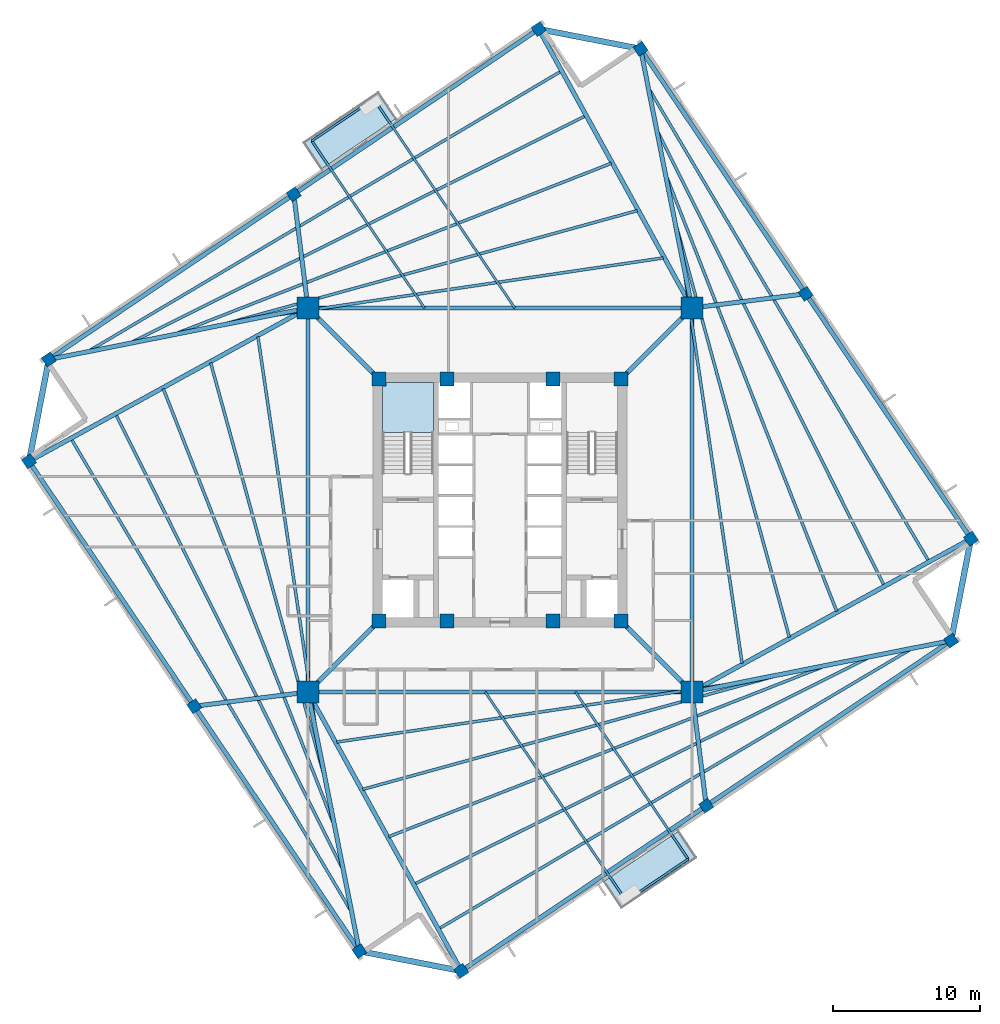
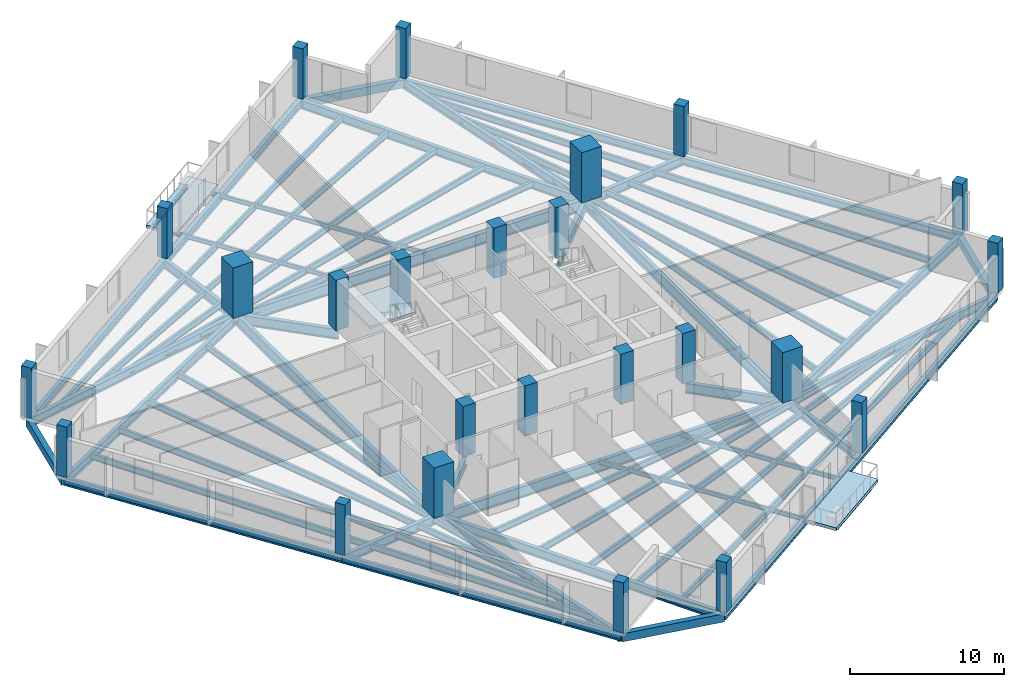
# One storey, part 1 of 9: 58 beams, 24 columns, 3 slabs, 1 element without a shape of its own.
"""IFC4 building model written with IfcOpenShell, lengths in metres."""

from ifc_helpers import new_model, si_unit, direction, frame, origin, origin_2d, place, context, subcontext, project, spatial, polyline, rectangle, i_section, outline, extrude, source, transform, mapped, material, layer, layer_set, material_profile, profile_set, type_object, element, aggregate, save


model = new_model("IFC4")

# Units and contexts
model_context = context("Model", 3, precision=1e-05, world=origin(), true_north=direction((0.0, 1.0)))
body_context = subcontext(model_context, "Body", "Model", "MODEL_VIEW")
ifc_project = project(units=[si_unit("LENGTHUNIT", "METRE"), si_unit("AREAUNIT", "SQUARE_METRE"), si_unit("VOLUMEUNIT", "CUBIC_METRE"), si_unit("PLANEANGLEUNIT", "RADIAN"), si_unit("MASSUNIT", "GRAM", prefix="KILO"), si_unit("THERMODYNAMICTEMPERATUREUNIT", "KELVIN")], contexts=[model_context])

# Site, building, storey
site_placement = place(None, origin())
site = spatial("IfcSite", under=ifc_project, at=site_placement, CompositionType="ELEMENT")
building_placement = place(site_placement, origin())
building = spatial("IfcBuilding", under=site, at=building_placement, Name="Kosmvard Interchange Tower", CompositionType="ELEMENT")
storey_placement = place(building_placement, frame((0.0, 0.0, 164.39990234375)))
storey = spatial("IfcBuildingStorey", under=building, at=storey_placement, Name="L39", CompositionType="ELEMENT", Elevation=164.39990234375)

# Columns
ifc_material_1 = material(Name="Concrete C60/75", Category="concrete")
ifc_material_profile_1 = material_profile(ifc_material_1, rectangle(XDim=0.949951171875, YDim=0.949951171875, at=origin_2d()), Name="CP 950x950")
ifc_profile_set_1 = profile_set([ifc_material_profile_1], Name="Concrete C60/75")
column_type_1 = type_object("IfcColumnType", Name="Core Boundary Pilaster 950x950 C60/75", PredefinedType="PILASTER", material=ifc_profile_set_1)
shared_shape_1 = source(origin(), body_context, "Body", "SweptSolid", [
    extrude(rectangle(XDim=0.949951171875, YDim=0.949951171875, at=origin_2d()), origin(), (0.0, 0.0, 1.0), 4.0),
])
for number, where, z_axis, x_axis, name in (
    (1, (-8.25, -8.25, 0.0), (0.0, 0.0, 1.0), (1.0, 0.0, 0.0), "L39 Core Pilaster CP1"),
    (2, (8.25, -8.25, 0.0), (0.0, 0.0, 1.0), (1.0, 0.0, 0.0), "L39 Core Pilaster CP2"),
    (3, (8.25, 8.25, 0.0), (0.0, 0.0, 1.0), (1.0, 0.0, 0.0), "L39 Core Pilaster CP3"),
    (4, (-8.25, 8.25, 0.0), (0.0, 0.0, 1.0), (1.0, 0.0, 0.0), "L39 Core Pilaster CP4"),
    (5, (-3.60009765625, -8.25, 0.0), (0.0, 0.0, 1.0), (1.0, 0.0, 0.0), "L39 Core Pilaster CP5"),
    (6, (3.60009765625, -8.25, 0.0), (0.0, 0.0, 1.0), (1.0, 0.0, 0.0), "L39 Core Pilaster CP6"),
    (7, (-3.60009765625, 8.25, 0.0), (0.0, 0.0, 1.0), (1.0, 0.0, 0.0), "L39 Core Pilaster CP7"),
    (8, (3.60009765625, 8.25, 0.0), (0.0, 0.0, 1.0), (1.0, 0.0, 0.0), "L39 Core Pilaster CP8"),
):
    element("IfcColumn", number, at=place(storey_placement, frame(where, z_axis=z_axis, x_axis=x_axis)), inside=storey, type_object=column_type_1, Name=name, PredefinedType="PILASTER", context=body_context, shape_type="MappedRepresentation", body=[
        mapped(shared_shape_1, transform((0.0, 0.0, 0.0), scale=1.0)),
    ])
ifc_material_profile_2 = material_profile(ifc_material_1, rectangle(XDim=1.5, YDim=1.5, at=origin_2d()), Name="MC 1500x1500")
ifc_profile_set_2 = profile_set([ifc_material_profile_2], Name="Concrete C60/75")
column_type_2 = type_object("IfcColumnType", Name="Composite Mega-Column 1500x1500 C60/75", PredefinedType="COLUMN", material=ifc_profile_set_2)
shared_shape_2 = source(origin(), body_context, "Body", "SweptSolid", [
    extrude(rectangle(XDim=1.5, YDim=1.5, at=origin_2d()), origin(), (0.0, 0.0, 1.0), 4.0),
])
for number, where, z_axis, x_axis, name in (
    (9, (-13.0810546875, -13.0810546875, 0.0), (0.0, 0.0, 1.0), (1.0, 0.0, 0.0), "L39 Corner Mega-Column MC1"),
    (10, (13.0810546875, -13.0810546875, 0.0), (0.0, 0.0, 1.0), (1.0, 0.0, 0.0), "L39 Corner Mega-Column MC2"),
    (11, (13.0810546875, 13.0810546875, 0.0), (0.0, 0.0, 1.0), (1.0, 0.0, 0.0), "L39 Corner Mega-Column MC3"),
    (12, (-13.0810546875, 13.0810546875, 0.0), (0.0, 0.0, 1.0), (1.0, 0.0, 0.0), "L39 Corner Mega-Column MC4"),
):
    element("IfcColumn", number, at=place(storey_placement, frame(where, z_axis=z_axis, x_axis=x_axis)), inside=storey, type_object=column_type_2, Name=name, PredefinedType="COLUMN", context=body_context, shape_type="MappedRepresentation", body=[
        mapped(shared_shape_2, transform((0.0, 0.0, 0.0), scale=1.0)),
    ])
ifc_material_2 = material(Name="Concrete C50/60", Category="concrete")
ifc_material_profile_3 = material_profile(ifc_material_2, rectangle(XDim=0.75, YDim=0.75, at=origin_2d()), Name="TC 750x750")
ifc_profile_set_3 = profile_set([ifc_material_profile_3], Name="Concrete C50/60")
column_type_3 = type_object("IfcColumnType", Name="Zone 3 Perimeter Pier Column 750x750 C50/60", PredefinedType="COLUMN", material=ifc_profile_set_3)
shared_shape_3 = source(origin(), body_context, "Body", "SweptSolid", [
    extrude(rectangle(XDim=0.75, YDim=0.75, at=origin_2d()), origin(), (0.0, 0.0, 1.0), 4.0),
])
for number, where, z_axis, x_axis, name in (
    (13, (-2.634765625, -32.083251953125, 0.0), (0.0, 0.0, 1.0), (0.829037572555, 0.559192903471, 0.0), "L39 Perimeter Pier Column TC-S1"),
    (14, (14.0498046875, -20.82958984375, 0.0), (0.0, 0.0, 1.0), (0.829037572555, 0.559192903471, 0.0), "L39 Perimeter Pier Column TC-S2"),
    (15, (30.734130859375, -9.575927734375, 0.0), (0.0, 0.0, 1.0), (0.829037572555, 0.559192903471, 0.0), "L39 Perimeter Pier Column TC-S3"),
    (16, (32.083251953125, -2.634765625, 0.0), (0.0, 0.0, 1.0), (0.829037572555, 0.559192903471, 0.0), "L39 Perimeter Pier Column TC-E1"),
    (17, (20.82958984375, 14.0498046875, 0.0), (0.0, 0.0, 1.0), (0.829037572555, 0.559192903471, 0.0), "L39 Perimeter Pier Column TC-E2"),
    (18, (9.575927734375, 30.734130859375, 0.0), (0.0, 0.0, 1.0), (0.829037572555, 0.559192903471, 0.0), "L39 Perimeter Pier Column TC-E3"),
    (19, (2.634765625, 32.083251953125, 0.0), (0.0, 0.0, 1.0), (0.829037572555, 0.559192903471, 0.0), "L39 Perimeter Pier Column TC-N1"),
    (20, (-14.0498046875, 20.82958984375, 0.0), (0.0, 0.0, 1.0), (0.829037572555, 0.559192903471, 0.0), "L39 Perimeter Pier Column TC-N2"),
    (21, (-30.734130859375, 9.575927734375, 0.0), (0.0, 0.0, 1.0), (0.829037572555, 0.559192903471, 0.0), "L39 Perimeter Pier Column TC-N3"),
    (22, (-32.083251953125, 2.634765625, 0.0), (0.0, 0.0, 1.0), (0.829037572555, 0.559192903471, 0.0), "L39 Perimeter Pier Column TC-W1"),
    (23, (-20.82958984375, -14.0498046875, 0.0), (0.0, 0.0, 1.0), (0.829037572555, 0.559192903471, 0.0), "L39 Perimeter Pier Column TC-W2"),
    (24, (-9.575927734375, -30.734130859375, 0.0), (0.0, 0.0, 1.0), (0.829037572555, 0.559192903471, 0.0), "L39 Perimeter Pier Column TC-W3"),
):
    element("IfcColumn", number, at=place(storey_placement, frame(where, z_axis=z_axis, x_axis=x_axis)), inside=storey, type_object=column_type_3, Name=name, PredefinedType="COLUMN", context=body_context, shape_type="MappedRepresentation", body=[
        mapped(shared_shape_3, transform((0.0, 0.0, 0.0), scale=1.0)),
    ])

# Beams
ifc_material_3 = material(Name="Steel S355", Category="steel")
ifc_material_profile_4 = material_profile(ifc_material_3, i_section(OverallWidth=0.14990234375, OverallDepth=0.300048828125, WebThickness=0.007080078125, FlangeThickness=0.0107421875, FilletRadius=0.014892578125, at=origin_2d()), Name="IPE 300")
ifc_profile_set_4 = profile_set([ifc_material_profile_4], Name="Steel S355")
beam_type_1 = type_object("IfcBeamType", Name="Balcony Edge Header Joist IPE 300 S355", PredefinedType="JOIST", material=ifc_profile_set_4)
shared_shape_4 = source(origin(), body_context, "Body", "SweptSolid", [
    extrude(i_section(OverallWidth=0.14990234375, OverallDepth=0.300048828125, WebThickness=0.007080078125, FlangeThickness=0.0107421875, FilletRadius=0.014892578125, at=origin_2d()), origin(), (0.0, 0.0, 1.0), 5.099853515625),
])
for number, where, z_axis, x_axis, name in (
    (25, (-8.59326171875, 27.314453125, -0.409912109375), (-0.82904064614, -0.559188346666, 0.0), (0.559188346666, -0.82904064614, 0.0), "BM-L39-BJH1"),
    (26, (8.59326171875, -27.314453125, -0.409912109375), (0.82904064614, 0.559188346666, 0.0), (-0.559188346666, 0.82904064614, 0.0), "BM-L39-BJH2"),
):
    element("IfcBeam", number, at=place(storey_placement, frame(where, z_axis=z_axis, x_axis=x_axis)), inside=storey, type_object=beam_type_1, Name=name, PredefinedType="JOIST", context=body_context, shape_type="MappedRepresentation", body=[
        mapped(shared_shape_4, transform((0.0, 0.0, 0.0), scale=1.0)),
    ])
ifc_material_profile_5 = material_profile(ifc_material_3, i_section(OverallWidth=0.300048828125, OverallDepth=0.800048828125, WebThickness=0.017578125, FlangeThickness=0.032958984375, FilletRadius=0.027099609375, at=origin_2d()), Name="HEB 800")
ifc_profile_set_5 = profile_set([ifc_material_profile_5], Name="Steel S355")
beam_type_2 = type_object("IfcBeamType", Name="Primary Mega-Frame Girder HEB 800 S355", PredefinedType="BEAM", material=ifc_profile_set_5)
shared_shape_5 = source(origin(), body_context, "Body", "SweptSolid", [
    extrude(i_section(OverallWidth=0.300048828125, OverallDepth=0.800048828125, WebThickness=0.017578125, FlangeThickness=0.032958984375, FilletRadius=0.027099609375, at=origin_2d()), origin(), (0.0, 0.0, 1.0), 6.83203125),
])
for number, where, z_axis, x_axis, name in (
    (27, (-8.25, -8.25, -0.659912109375), (-0.707106781187, -0.707106781187, 0.0), (0.707106781187, -0.707106781187, 0.0), "L39 Radial Mega-Frame Girder 1"),
    (28, (8.25, -8.25, -0.659912109375), (0.707106781187, -0.707106781187, 0.0), (0.707106781187, 0.707106781187, 0.0), "L39 Radial Mega-Frame Girder 2"),
    (29, (8.25, 8.25, -0.659912109375), (0.707106781187, 0.707106781187, 0.0), (-0.707106781187, 0.707106781187, 0.0), "L39 Radial Mega-Frame Girder 3"),
    (30, (-8.25, 8.25, -0.659912109375), (-0.707106781187, 0.707106781187, 0.0), (-0.707106781187, -0.707106781187, 0.0), "L39 Radial Mega-Frame Girder 4"),
):
    element("IfcBeam", number, at=place(storey_placement, frame(where, z_axis=z_axis, x_axis=x_axis)), inside=storey, type_object=beam_type_2, Name=name, PredefinedType="BEAM", context=body_context, shape_type="MappedRepresentation", body=[
        mapped(shared_shape_5, transform((0.0, 0.0, 0.0), scale=1.0)),
    ])
ifc_material_profile_6 = material_profile(ifc_material_3, i_section(OverallWidth=0.300048828125, OverallDepth=0.89990234375, WebThickness=0.0185546875, FlangeThickness=0.034912109375, FilletRadius=0.030029296875, at=origin_2d()), Name="HEB 900")
ifc_profile_set_6 = profile_set([ifc_material_profile_6], Name="Steel S355")
beam_type_3 = type_object("IfcBeamType", Name="Mega-Column Ring Girder HEB 900 S355", PredefinedType="BEAM", material=ifc_profile_set_6)
shared_shape_6 = source(origin(), body_context, "Body", "SweptSolid", [
    extrude(i_section(OverallWidth=0.300048828125, OverallDepth=0.89990234375, WebThickness=0.0185546875, FlangeThickness=0.034912109375, FilletRadius=0.030029296875, at=origin_2d()), origin(), (0.0, 0.0, 1.0), 26.162109375),
])
for number, where, z_axis, x_axis, name in (
    (31, (-13.0810546875, -13.0810546875, -0.7099609375), (1.0, 0.0, 0.0), (0.0, 1.0, 0.0), "L39 Mega-Column Ring Girder 1"),
    (32, (13.0810546875, -13.0810546875, -0.7099609375), (0.0, 1.0, 0.0), (-1.0, 0.0, 0.0), "L39 Mega-Column Ring Girder 2"),
    (33, (13.0810546875, 13.0810546875, -0.7099609375), (-1.0, 0.0, 0.0), (0.0, -1.0, 0.0), "L39 Mega-Column Ring Girder 3"),
    (34, (-13.0810546875, 13.0810546875, -0.7099609375), (0.0, -1.0, 0.0), (1.0, 0.0, 0.0), "L39 Mega-Column Ring Girder 4"),
):
    element("IfcBeam", number, at=place(storey_placement, frame(where, z_axis=z_axis, x_axis=x_axis)), inside=storey, type_object=beam_type_3, Name=name, PredefinedType="BEAM", context=body_context, shape_type="MappedRepresentation", body=[
        mapped(shared_shape_6, transform((0.0, 0.0, 0.0), scale=1.0)),
    ])
ifc_material_profile_7 = material_profile(ifc_material_3, i_section(OverallWidth=0.300048828125, OverallDepth=0.60009765625, WebThickness=0.015380859375, FlangeThickness=0.030029296875, FilletRadius=0.027099609375, at=origin_2d()), Name="HEB 600")
ifc_profile_set_7 = profile_set([ifc_material_profile_7], Name="Steel S355")
beam_type_4 = type_object("IfcBeamType", Name="Perimeter Tie Girder HEB 600 S355", PredefinedType="BEAM", material=ifc_profile_set_7)
shared_shape_7 = source(origin(), body_context, "Body", "SweptSolid", [
    extrude(i_section(OverallWidth=0.300048828125, OverallDepth=0.60009765625, WebThickness=0.015380859375, FlangeThickness=0.030029296875, FilletRadius=0.027099609375, at=origin_2d()), origin(), (0.0, 0.0, 1.0), 20.125),
])
for number, where, z_axis, x_axis, name in (
    (35, (-2.634765625, -32.083251953125, -0.559814453125), (0.82904270175, 0.559185299051, 0.0), (-0.559185299051, 0.82904270175, 0.0), "BM-L39-PR01"),
    (36, (14.0498046875, -20.82958984375, -0.559814453125), (0.829038908426, 0.559190922956, 0.0), (-0.559190922956, 0.829038908426, 0.0), "BM-L39-PR02"),
    (37, (32.083251953125, -2.634765625, -0.559814453125), (-0.559185299051, 0.82904270175, 0.0), (-0.82904270175, -0.559185299051, 0.0), "BM-L39-PR04"),
    (38, (20.82958984375, 14.0498046875, -0.559814453125), (-0.559190922956, 0.829038908426, 0.0), (-0.829038908426, -0.559190922956, 0.0), "BM-L39-PR05"),
    (39, (2.634765625, 32.083251953125, -0.559814453125), (-0.82904270175, -0.559185299051, 0.0), (0.559185299051, -0.82904270175, 0.0), "BM-L39-PR07"),
    (40, (-14.0498046875, 20.82958984375, -0.559814453125), (-0.829038908426, -0.559190922956, 0.0), (0.559190922956, -0.829038908426, 0.0), "BM-L39-PR08"),
    (41, (-32.083251953125, 2.634765625, -0.559814453125), (0.559185299051, -0.82904270175, 0.0), (0.82904270175, 0.559185299051, 0.0), "BM-L39-PR10"),
    (42, (-20.82958984375, -14.0498046875, -0.559814453125), (0.559190922956, -0.829038908426, 0.0), (0.829038908426, 0.559190922956, 0.0), "BM-L39-PR11"),
):
    element("IfcBeam", number, at=place(storey_placement, frame(where, z_axis=z_axis, x_axis=x_axis)), inside=storey, type_object=beam_type_4, Name=name, PredefinedType="BEAM", context=body_context, shape_type="MappedRepresentation", body=[
        mapped(shared_shape_7, transform((0.0, 0.0, 0.0), scale=1.0)),
    ])
ifc_material_profile_8 = material_profile(ifc_material_3, i_section(OverallWidth=0.300048828125, OverallDepth=0.699951171875, WebThickness=0.01708984375, FlangeThickness=0.031982421875, FilletRadius=0.027099609375, at=origin_2d()), Name="HEB 700")
ifc_profile_set_8 = profile_set([ifc_material_profile_8], Name="Steel S355")
beam_type_5 = type_object("IfcBeamType", Name="Primary Floor Girder HEB 700 S355", PredefinedType="BEAM", material=ifc_profile_set_8)
shared_shape_8 = source(origin(), body_context, "Body", "SweptSolid", [
    extrude(i_section(OverallWidth=0.300048828125, OverallDepth=0.699951171875, WebThickness=0.01708984375, FlangeThickness=0.031982421875, FilletRadius=0.027099609375, at=origin_2d()), origin(), (0.0, 0.0, 1.0), 21.684326171875),
])
for number, where, z_axis, x_axis, name in (
    (43, (-13.0810546875, -13.0810546875, -0.60986328125), (0.48174456271, -0.876311689012, 0.0), (0.876311689012, 0.48174456271, 0.0), "BM-L39-RD01"),
    (44, (13.0810546875, -13.0810546875, -0.60986328125), (0.876311689012, 0.48174456271, 0.0), (-0.48174456271, 0.876311689012, 0.0), "BM-L39-RD04"),
    (45, (13.0810546875, 13.0810546875, -0.60986328125), (-0.48174456271, 0.876311689012, 0.0), (-0.876311689012, -0.48174456271, 0.0), "BM-L39-RD07"),
    (46, (-13.0810546875, 13.0810546875, -0.60986328125), (-0.876311689012, -0.48174456271, 0.0), (0.48174456271, -0.876311689012, 0.0), "BM-L39-RD10"),
):
    element("IfcBeam", number, at=place(storey_placement, frame(where, z_axis=z_axis, x_axis=x_axis)), inside=storey, type_object=beam_type_5, Name=name, PredefinedType="BEAM", context=body_context, shape_type="MappedRepresentation", body=[
        mapped(shared_shape_8, transform((0.0, 0.0, 0.0), scale=1.0)),
    ])
shared_shape_9 = source(origin(), body_context, "Body", "SweptSolid", [
    extrude(i_section(OverallWidth=0.300048828125, OverallDepth=0.699951171875, WebThickness=0.01708984375, FlangeThickness=0.031982421875, FilletRadius=0.027099609375, at=origin_2d()), origin(), (0.0, 0.0, 1.0), 7.808837890625),
])
for number, where, z_axis, x_axis, name in (
    (47, (13.0810546875, -13.0810546875, -0.60986328125), (0.12405782224, -0.992274990485, 0.0), (0.992274990485, 0.12405782224, 0.0), "BM-L39-RD02"),
    (48, (13.0810546875, 13.0810546875, -0.60986328125), (0.992274990485, 0.12405782224, 0.0), (-0.12405782224, 0.992274990485, 0.0), "BM-L39-RD05"),
    (49, (-13.0810546875, 13.0810546875, -0.60986328125), (-0.12405782224, 0.992274990485, 0.0), (-0.992274990485, -0.12405782224, 0.0), "BM-L39-RD08"),
    (50, (-13.0810546875, -13.0810546875, -0.60986328125), (-0.992274990485, -0.12405782224, 0.0), (0.12405782224, -0.992274990485, 0.0), "BM-L39-RD11"),
):
    element("IfcBeam", number, at=place(storey_placement, frame(where, z_axis=z_axis, x_axis=x_axis)), inside=storey, type_object=beam_type_5, Name=name, PredefinedType="BEAM", context=body_context, shape_type="MappedRepresentation", body=[
        mapped(shared_shape_9, transform((0.0, 0.0, 0.0), scale=1.0)),
    ])
ifc_material_4 = material(Name="Precast concrete C45/55", Category="concrete")
ifc_material_profile_9 = material_profile(ifc_material_4, rectangle(XDim=0.39990234375, YDim=0.64990234375, at=origin_2d()), Name="SL 400x650")
ifc_profile_set_9 = profile_set([ifc_material_profile_9], Name="Precast concrete C45/55")
beam_type_6 = type_object("IfcBeamType", Name="Precast Spandrel Lintel 400x650 C45/55", PredefinedType="LINTEL", material=ifc_profile_set_9)
shared_shape_10 = source(origin(), body_context, "Body", "SweptSolid", [
    extrude(rectangle(XDim=0.39990234375, YDim=0.64990234375, at=origin_2d()), origin(), (0.0, 0.0, 1.0), 7.071044921875),
])
for number, where, z_axis, x_axis, name in (
    (51, (30.734130859375, -9.575927734375, -0.5849609375), (0.190794803533, 0.981629941956, 0.0), (-0.981629941956, 0.190794803533, 0.0), "BM-L39-SL1"),
    (52, (9.575927734375, 30.734130859375, -0.5849609375), (-0.981629941956, 0.190794803533, 0.0), (-0.190794803533, -0.981629941956, 0.0), "BM-L39-SL2"),
    (53, (-30.734130859375, 9.575927734375, -0.5849609375), (-0.190794803533, -0.981629941956, 0.0), (0.981629941956, -0.190794803533, 0.0), "BM-L39-SL3"),
    (54, (-9.575927734375, -30.734130859375, -0.5849609375), (0.981629941956, -0.190794803533, 0.0), (0.190794803533, 0.981629941956, 0.0), "BM-L39-SL4"),
):
    element("IfcBeam", number, at=place(storey_placement, frame(where, z_axis=z_axis, x_axis=x_axis)), inside=storey, type_object=beam_type_6, Name=name, PredefinedType="LINTEL", context=body_context, shape_type="MappedRepresentation", body=[
        mapped(shared_shape_10, transform((0.0, 0.0, 0.0), scale=1.0)),
    ])
shared_shape_11 = source(origin(), body_context, "Body", "SweptSolid", [
    extrude(i_section(OverallWidth=0.300048828125, OverallDepth=0.699951171875, WebThickness=0.01708984375, FlangeThickness=0.031982421875, FilletRadius=0.027099609375, at=origin_2d()), origin(), (0.0, 0.0, 1.0), 17.997802734375),
])
for number, where, z_axis, x_axis, name in (
    (55, (13.0810546875, -13.0810546875, -0.60986328125), (0.980852075755, 0.194754218148, 0.0), (-0.194754218148, 0.980852075755, 0.0), "BM-L39-RD03"),
    (56, (13.0810546875, 13.0810546875, -0.60986328125), (-0.194754218148, 0.980852075755, 0.0), (-0.980852075755, -0.194754218148, 0.0), "BM-L39-RD06"),
    (57, (-13.0810546875, 13.0810546875, -0.60986328125), (-0.980852075755, -0.194754218148, 0.0), (0.194754218148, -0.980852075755, 0.0), "BM-L39-RD09"),
    (58, (-13.0810546875, -13.0810546875, -0.60986328125), (0.194754218148, -0.980852075755, 0.0), (0.980852075755, 0.194754218148, 0.0), "BM-L39-RD12"),
):
    element("IfcBeam", number, at=place(storey_placement, frame(where, z_axis=z_axis, x_axis=x_axis)), inside=storey, type_object=beam_type_5, Name=name, PredefinedType="BEAM", context=body_context, shape_type="MappedRepresentation", body=[
        mapped(shared_shape_11, transform((0.0, 0.0, 0.0), scale=1.0)),
    ])
ifc_material_profile_10 = material_profile(ifc_material_3, i_section(OverallWidth=0.199951171875, OverallDepth=0.5, WebThickness=0.01025390625, FlangeThickness=0.01611328125, FilletRadius=0.02099609375, at=origin_2d()), Name="IPE 500")
ifc_profile_set_10 = profile_set([ifc_material_profile_10], Name="Steel S355")
beam_type_7 = type_object("IfcBeamType", Name="Standard Floor Joist IPE 500 S355", PredefinedType="JOIST", material=ifc_profile_set_10)
shared_shape_12 = source(origin(), body_context, "Body", "SweptSolid", [
    extrude(i_section(OverallWidth=0.199951171875, OverallDepth=0.5, WebThickness=0.01025390625, FlangeThickness=0.01611328125, FilletRadius=0.02099609375, at=origin_2d()), origin(), (0.0, 0.0, 1.0), 27.5966796875),
])
for number, where, z_axis, x_axis, name in (
    (59, (-11.12158203125, -16.48974609375, -0.510009765625), (0.989290070387, 0.145962860463, 0.0), (-0.145962860463, 0.989290070387, 0.0), "BM-L39-FJ01"),
    (60, (16.48974609375, -11.12158203125, -0.510009765625), (-0.145962860463, 0.989290070387, 0.0), (-0.989290070387, -0.145962860463, 0.0), "BM-L39-FJ06"),
    (61, (11.12158203125, 16.48974609375, -0.510009765625), (-0.989290070387, -0.145962860463, 0.0), (0.145962860463, -0.989290070387, 0.0), "BM-L39-FJ11"),
    (62, (-16.48974609375, 11.12158203125, -0.510009765625), (0.145962860463, -0.989290070387, 0.0), (0.989290070387, 0.145962860463, 0.0), "BM-L39-FJ16"),
):
    element("IfcBeam", number, at=place(storey_placement, frame(where, z_axis=z_axis, x_axis=x_axis)), inside=storey, type_object=beam_type_7, Name=name, PredefinedType="JOIST", context=body_context, shape_type="MappedRepresentation", body=[
        mapped(shared_shape_12, transform((0.0, 0.0, 0.0), scale=1.0)),
    ])
shared_shape_13 = source(origin(), body_context, "Body", "SweptSolid", [
    extrude(i_section(OverallWidth=0.199951171875, OverallDepth=0.5, WebThickness=0.01025390625, FlangeThickness=0.01611328125, FilletRadius=0.02099609375, at=origin_2d()), origin(), (0.0, 0.0, 1.0), 29.58642578125),
])
for number, where, z_axis, x_axis, name in (
    (63, (-9.34765625, -19.710693359375, -0.510009765625), (0.964296527467, 0.264824861209, 0.0), (-0.264824861209, 0.964296527467, 0.0), "BM-L39-FJ02"),
    (64, (19.710693359375, -9.34765625, -0.510009765625), (-0.264824861209, 0.964296527467, 0.0), (-0.964296527467, -0.264824861209, 0.0), "BM-L39-FJ07"),
    (65, (9.34765625, 19.710693359375, -0.510009765625), (-0.964296527467, -0.264824861209, 0.0), (0.264824861209, -0.964296527467, 0.0), "BM-L39-FJ12"),
    (66, (-19.710693359375, 9.34765625, -0.510009765625), (0.264824861209, -0.964296527467, 0.0), (0.964296527467, 0.264824861209, 0.0), "BM-L39-FJ17"),
):
    element("IfcBeam", number, at=place(storey_placement, frame(where, z_axis=z_axis, x_axis=x_axis)), inside=storey, type_object=beam_type_7, Name=name, PredefinedType="JOIST", context=body_context, shape_type="MappedRepresentation", body=[
        mapped(shared_shape_13, transform((0.0, 0.0, 0.0), scale=1.0)),
    ])
shared_shape_14 = source(origin(), body_context, "Body", "SweptSolid", [
    extrude(i_section(OverallWidth=0.199951171875, OverallDepth=0.5, WebThickness=0.01025390625, FlangeThickness=0.01611328125, FilletRadius=0.02099609375, at=origin_2d()), origin(), (0.0, 0.0, 1.0), 31.9580078125),
])
for number, where, z_axis, x_axis, name in (
    (67, (-7.574462890625, -22.93310546875, -0.510009765625), (0.931239172846, 0.364408565976, 0.0), (-0.364408565976, 0.931239172846, 0.0), "BM-L39-FJ03"),
    (68, (22.93310546875, -7.574462890625, -0.510009765625), (-0.364408565976, 0.931239172846, 0.0), (-0.931239172846, -0.364408565976, 0.0), "BM-L39-FJ08"),
    (69, (7.574462890625, 22.93310546875, -0.510009765625), (-0.931239172846, -0.364408565976, 0.0), (0.364408565976, -0.931239172846, 0.0), "BM-L39-FJ13"),
    (70, (-22.93310546875, 7.574462890625, -0.510009765625), (0.364408565976, -0.931239172846, 0.0), (0.931239172846, 0.364408565976, 0.0), "BM-L39-FJ18"),
):
    element("IfcBeam", number, at=place(storey_placement, frame(where, z_axis=z_axis, x_axis=x_axis)), inside=storey, type_object=beam_type_7, Name=name, PredefinedType="JOIST", context=body_context, shape_type="MappedRepresentation", body=[
        mapped(shared_shape_14, transform((0.0, 0.0, 0.0), scale=1.0)),
    ])
shared_shape_15 = source(origin(), body_context, "Body", "SweptSolid", [
    extrude(i_section(OverallWidth=0.199951171875, OverallDepth=0.5, WebThickness=0.01025390625, FlangeThickness=0.01611328125, FilletRadius=0.02099609375, at=origin_2d()), origin(), (0.0, 0.0, 1.0), 34.633056640625),
])
for number, where, z_axis, x_axis, name in (
    (71, (-5.801513671875, -26.156982421875, -0.510009765625), (0.894853974707, 0.446359007921, 0.0), (-0.446359007921, 0.894853974707, 0.0), "BM-L39-FJ04"),
    (72, (26.156982421875, -5.801513671875, -0.510009765625), (-0.446359007921, 0.894853974707, 0.0), (-0.894853974707, -0.446359007921, 0.0), "BM-L39-FJ09"),
    (73, (5.801513671875, 26.156982421875, -0.510009765625), (-0.894853974707, -0.446359007921, 0.0), (0.446359007921, -0.894853974707, 0.0), "BM-L39-FJ14"),
    (74, (-26.156982421875, 5.801513671875, -0.510009765625), (0.446359007921, -0.894853974707, 0.0), (0.894853974707, 0.446359007921, 0.0), "BM-L39-FJ19"),
):
    element("IfcBeam", number, at=place(storey_placement, frame(where, z_axis=z_axis, x_axis=x_axis)), inside=storey, type_object=beam_type_7, Name=name, PredefinedType="JOIST", context=body_context, shape_type="MappedRepresentation", body=[
        mapped(shared_shape_15, transform((0.0, 0.0, 0.0), scale=1.0)),
    ])
shared_shape_16 = source(origin(), body_context, "Body", "SweptSolid", [
    extrude(i_section(OverallWidth=0.199951171875, OverallDepth=0.5, WebThickness=0.01025390625, FlangeThickness=0.01611328125, FilletRadius=0.02099609375, at=origin_2d()), origin(), (0.0, 0.0, 1.0), 37.3701171875),
])
for number, where, z_axis, x_axis, name in (
    (75, (-4.1328125, -29.192138671875, -0.510009765625), (0.860316577026, 0.509760127212, 0.0), (-0.509760127212, 0.860316577026, 0.0), "BM-L39-FJ05"),
    (76, (29.192138671875, -4.1328125, -0.510009765625), (-0.509760127212, 0.860316577026, 0.0), (-0.860316577026, -0.509760127212, 0.0), "BM-L39-FJ10"),
    (77, (4.1328125, 29.192138671875, -0.510009765625), (-0.860316577026, -0.509760127212, 0.0), (0.509760127212, -0.860316577026, 0.0), "BM-L39-FJ15"),
    (78, (-29.192138671875, 4.1328125, -0.510009765625), (0.509760127212, -0.860316577026, 0.0), (0.860316577026, 0.509760127212, 0.0), "BM-L39-FJ20"),
):
    element("IfcBeam", number, at=place(storey_placement, frame(where, z_axis=z_axis, x_axis=x_axis)), inside=storey, type_object=beam_type_7, Name=name, PredefinedType="JOIST", context=body_context, shape_type="MappedRepresentation", body=[
        mapped(shared_shape_16, transform((0.0, 0.0, 0.0), scale=1.0)),
    ])
ifc_material_profile_11 = material_profile(ifc_material_3, i_section(OverallWidth=0.159912109375, OverallDepth=0.330078125, WebThickness=0.007568359375, FlangeThickness=0.011474609375, FilletRadius=0.01806640625, at=origin_2d()), Name="IPE 330")
ifc_profile_set_11 = profile_set([ifc_material_profile_11], Name="Steel S355")
beam_type_8 = type_object("IfcBeamType", Name="Balcony Cantilever Joist IPE 330 S355", PredefinedType="JOIST", material=ifc_profile_set_11)
shared_shape_17 = source(origin(), body_context, "Body", "SweptSolid", [
    extrude(i_section(OverallWidth=0.159912109375, OverallDepth=0.330078125, WebThickness=0.007568359375, FlangeThickness=0.011474609375, FilletRadius=0.01806640625, at=origin_2d()), origin(), (0.0, 0.0, 1.0), 17.168701171875),
])
for number, where, z_axis, x_axis, name in (
    (79, (1.00732421875, 13.0810546875, -0.4248046875), (-0.559194403402, 0.829036560837, 0.0), (-0.829036560837, -0.559194403402, 0.0), "BM-L39-BJ1"),
    (80, (-1.00732421875, -13.0810546875, -0.4248046875), (0.559194403402, -0.829036560837, 0.0), (0.829036560837, 0.559194403402, 0.0), "BM-L39-BJ2"),
):
    element("IfcBeam", number, at=place(storey_placement, frame(where, z_axis=z_axis, x_axis=x_axis)), inside=storey, type_object=beam_type_8, Name=name, PredefinedType="JOIST", context=body_context, shape_type="MappedRepresentation", body=[
        mapped(shared_shape_17, transform((0.0, 0.0, 0.0), scale=1.0)),
    ])
shared_shape_18 = source(origin(), body_context, "Body", "SweptSolid", [
    extrude(i_section(OverallWidth=0.159912109375, OverallDepth=0.330078125, WebThickness=0.007568359375, FlangeThickness=0.011474609375, FilletRadius=0.01806640625, at=origin_2d()), origin(), (0.0, 0.0, 1.0), 13.728759765625),
])
for number, where, z_axis, x_axis, name in (
    (81, (-5.144287109375, 13.0810546875, -0.4248046875), (-0.559193972367, 0.829036851575, 0.0), (-0.829036851575, -0.559193972367, 0.0), "BM-L39-BJB1"),
    (82, (5.144287109375, -13.0810546875, -0.4248046875), (0.559193972367, -0.829036851575, 0.0), (0.829036851575, 0.559193972367, 0.0), "BM-L39-BJB2"),
):
    element("IfcBeam", number, at=place(storey_placement, frame(where, z_axis=z_axis, x_axis=x_axis)), inside=storey, type_object=beam_type_8, Name=name, PredefinedType="JOIST", context=body_context, shape_type="MappedRepresentation", body=[
        mapped(shared_shape_18, transform((0.0, 0.0, 0.0), scale=1.0)),
    ])

# Stair, slab
stair_type = type_object("IfcStairType", Name="Dog-Leg Core Exit Stair H4000 C50/60", PredefinedType="HALF_TURN_STAIR", material=ifc_material_2)
stair_placement = place(storey_placement, origin())
stair = element("IfcStair", 83, at=stair_placement, inside=storey, type_object=stair_type, Name="L39 Protected Exit Stair ST-1", PredefinedType="HALF_TURN_STAIR")
ifc_layer_1 = layer(ifc_material_2, 0.199951171875, Name="Concrete C50/60")
ifc_layer_set_1 = layer_set([ifc_layer_1], Name="Concrete C50/60")
slab_type_1 = type_object("IfcSlabType", Name="Stair Half-Landing Slab 200 C50/60", PredefinedType="LANDING", material=ifc_layer_set_1)
slab_1_placement = place(storey_placement, frame((0.0, 0.0, 1.800048828125)))
slab_1 = element("IfcSlab", 84, at=slab_1_placement, type_object=slab_type_1, Name="ST-1 landing 1", PredefinedType="LANDING", context=body_context, shape_type="SweptSolid", body=[
    extrude(outline(polyline([(-4.5400390625, 4.60009765625), (-4.5400390625, 8.0), (-8.0, 8.0), (-8.0, 4.60009765625), (-4.5400390625, 4.60009765625)])), origin(), (0.0, 0.0, 1.0), 0.199951171875),
])
aggregate(stair, [slab_1])

# Slabs
ifc_layer_2 = layer(ifc_material_2, 0.22998046875, Name="Concrete C50/60")
ifc_layer_set_2 = layer_set([ifc_layer_2], Name="Concrete C50/60")
slab_type_2 = type_object("IfcSlabType", Name="Tree-Planter Cantilever Balcony Slab 230 C50/60", PredefinedType="FLOOR", material=ifc_layer_set_2)
slab_2_placement = place(storey_placement, frame((0.0, 0.0, -0.22998046875)))
element("IfcSlab", 85, at=slab_2_placement, inside=storey, type_object=slab_type_2, Name="L39 Outdoor Terrace Balcony Slab BAL-L39-N", PredefinedType="FLOOR", context=body_context, shape_type="SweptSolid", body=[
    extrude(outline(polyline([(-12.186767578125, 22.538330078125), (-7.046875, 26.00537109375), (-8.277099609375, 27.829345703125), (-13.4169921875, 24.3623046875), (-12.186767578125, 22.538330078125)])), origin(), (0.0, 0.0, 1.0), 0.22998046875),
])
slab_3_placement = place(storey_placement, frame((0.0, 0.0, -0.22998046875)))
element("IfcSlab", 86, at=slab_3_placement, inside=storey, type_object=slab_type_2, Name="L39 Outdoor Terrace Balcony Slab BAL-L39-S", PredefinedType="FLOOR", context=body_context, shape_type="SweptSolid", body=[
    extrude(outline(polyline([(8.277099609375, -27.829345703125), (13.4169921875, -24.3623046875), (12.186767578125, -22.538330078125), (7.046875, -26.00537109375), (8.277099609375, -27.829345703125)])), origin(), (0.0, 0.0, 1.0), 0.22998046875),
])

save(model, "model.ifc")
